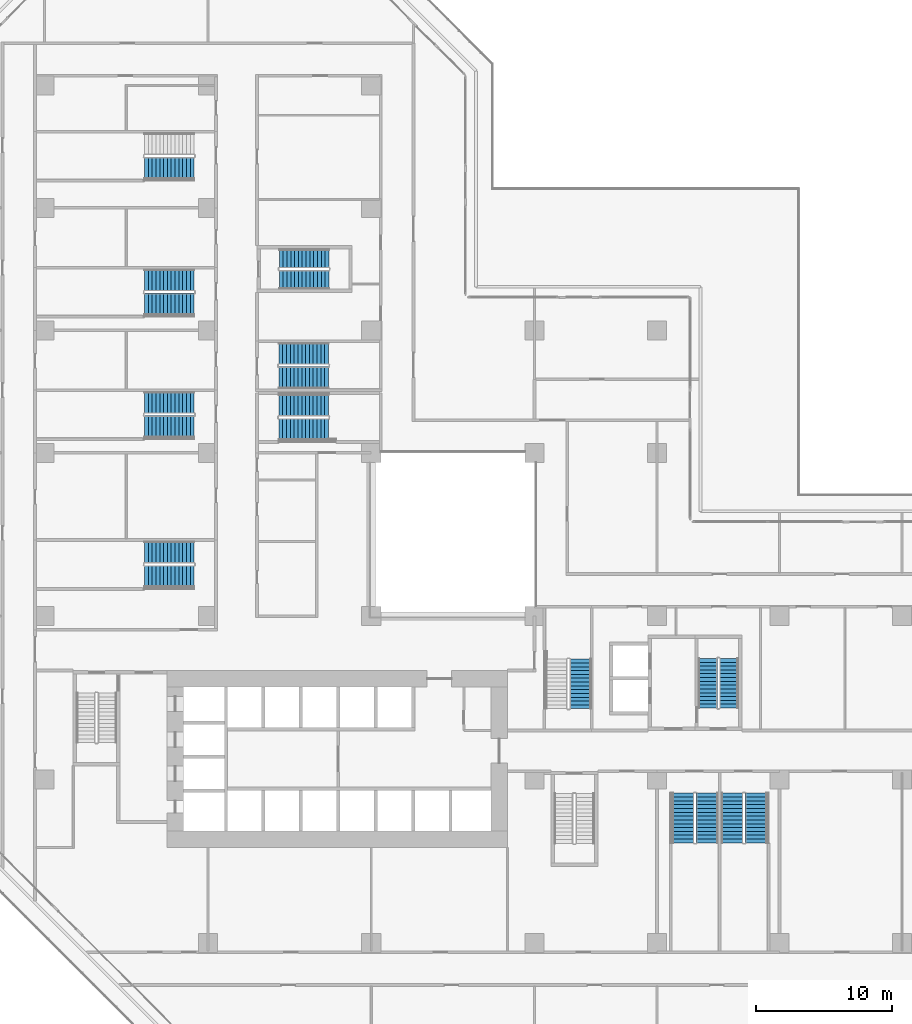
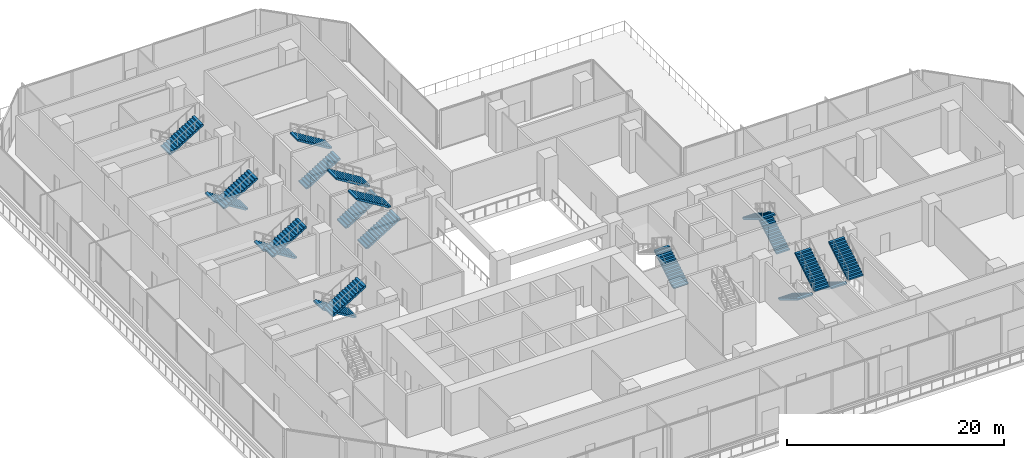
# One storey, part 18 of 25: 20 stair flights, 11 elements without a shape of their own.
"""IFC4 building model written with IfcOpenShell, lengths in metres."""

from ifc_helpers import new_model, si_unit, direction, frame, origin, place, context, subcontext, project, spatial, polyline, outline, extrude, material, type_object, element, aggregate, save


model = new_model("IFC4")

# Units and contexts
model_context = context("Model", 3, precision=1e-05, world=origin(), true_north=direction((0.0, 1.0)))
body_context = subcontext(model_context, "Body", "Model", "MODEL_VIEW")
ifc_project = project(units=[si_unit("LENGTHUNIT", "METRE"), si_unit("AREAUNIT", "SQUARE_METRE"), si_unit("VOLUMEUNIT", "CUBIC_METRE"), si_unit("PLANEANGLEUNIT", "RADIAN"), si_unit("MASSUNIT", "GRAM", prefix="KILO")], contexts=[model_context])

# Site, building, storey
site_placement = place(None, origin())
site = spatial("IfcSite", under=ifc_project, at=site_placement, CompositionType="ELEMENT")
building_placement = place(site_placement, origin())
building = spatial("IfcBuilding", under=site, at=building_placement, Name="Chenar Terraces", CompositionType="ELEMENT")
storey_placement = place(building_placement, frame((0.0, 0.0, 21.60009765625)))
storey = spatial("IfcBuildingStorey", under=building, at=storey_placement, Name="L04", CompositionType="ELEMENT", Elevation=21.60009765625)

# Stair, stair flights
ifc_material_1 = material(Name="Reinforced concrete C40/50", Category="concrete")
stair_type = type_object("IfcStairType", Name="Core stair 1400 half-turn", PredefinedType="HALF_TURN_STAIR", material=ifc_material_1)
placement = place(storey_placement, origin())
stair_1 = element("IfcStair", 1, at=placement, inside=storey, type_object=stair_type, Name="L04 Stair 3", PredefinedType="HALF_TURN_STAIR")
ifc_material_2 = material(Name="Reinforced concrete C40/50", Category="concrete")
stair_flight_type = type_object("IfcStairFlightType", Name="Core stair flight 1400", PredefinedType="STRAIGHT", material=ifc_material_2)
stair_flight_1_placement = place(storey_placement, frame((50.27490234375, 17.25, 0.0), z_axis=(0.0, 0.0, 1.0), x_axis=(0.0, 1.0, 0.0)))
stair_flight_1 = element("IfcStairFlight", 2, at=stair_flight_1_placement, type_object=stair_flight_type, Name="ST3 flight 1", NumberOfRisers=14, NumberOfTreads=13, PredefinedType="STRAIGHT", RiserHeight=0.171428571, TreadLength=0.28, context=body_context, shape_type="SweptSolid", body=[
    extrude(outline(polyline([(-0.0029296875, 0.0), (-0.0029296875, 0.17138671875), (0.0, 0.17138671875), (0.280029296875, 0.17138671875), (0.280029296875, 0.3427734375), (0.56005859375, 0.3427734375), (0.56005859375, 0.514404296875), (0.840087890625, 0.514404296875), (0.840087890625, 0.685791015625), (1.1201171875, 0.685791015625), (1.1201171875, 0.857177734375), (1.39990234375, 0.857177734375), (1.39990234375, 1.028564453125), (1.679931640625, 1.028564453125), (1.679931640625, 1.199951171875), (1.9599609375, 1.199951171875), (1.9599609375, 1.371337890625), (2.239990234375, 1.371337890625), (2.239990234375, 1.54296875), (2.52001953125, 1.54296875), (2.52001953125, 1.71435546875), (2.800048828125, 1.71435546875), (2.800048828125, 1.8857421875), (3.080078125, 1.8857421875), (3.080078125, 2.05712890625), (3.360107421875, 2.05712890625), (3.360107421875, 2.228515625), (3.639892578125, 2.228515625), (3.64306640625, 2.228515625), (3.64306640625, 2.052734375), (3.639892578125, 2.052734375), (0.287109375, 0.0), (-0.0029296875, 0.0)])), frame((0.0, 0.699951171875, 0.0), z_axis=(0.0, -1.0, 0.0), x_axis=(1.0, 0.0, 0.0)), (0.0, 0.0, 1.0), 1.39990234375),
])
stair_flight_2_placement = place(storey_placement, frame((48.72509765625, 20.889892578125, 2.39990234375), z_axis=(0.0, 0.0, 1.0), x_axis=(0.0, -1.0, 0.0)))
stair_flight_2 = element("IfcStairFlight", 3, at=stair_flight_2_placement, type_object=stair_flight_type, Name="ST3 flight 2", NumberOfRisers=14, NumberOfTreads=13, PredefinedType="STRAIGHT", RiserHeight=0.171428571, TreadLength=0.28, context=body_context, shape_type="SweptSolid", body=[
    extrude(outline(polyline([(-0.0029296875, 0.0), (-0.0029296875, 0.17138671875), (0.0, 0.17138671875), (0.280029296875, 0.17138671875), (0.280029296875, 0.3427734375), (0.56005859375, 0.3427734375), (0.56005859375, 0.514404296875), (0.840087890625, 0.514404296875), (0.840087890625, 0.685791015625), (1.1201171875, 0.685791015625), (1.1201171875, 0.857177734375), (1.39990234375, 0.857177734375), (1.39990234375, 1.028564453125), (1.679931640625, 1.028564453125), (1.679931640625, 1.199951171875), (1.9599609375, 1.199951171875), (1.9599609375, 1.371337890625), (2.239990234375, 1.371337890625), (2.239990234375, 1.54296875), (2.52001953125, 1.54296875), (2.52001953125, 1.71435546875), (2.800048828125, 1.71435546875), (2.800048828125, 1.8857421875), (3.080078125, 1.8857421875), (3.080078125, 2.05712890625), (3.360107421875, 2.05712890625), (3.360107421875, 2.228515625), (3.639892578125, 2.228515625), (3.64306640625, 2.228515625), (3.64306640625, 2.052734375), (3.639892578125, 2.052734375), (0.287109375, 0.0), (-0.0029296875, 0.0)])), frame((0.0, 0.699951171875, 0.0), z_axis=(0.0, -1.0, 0.0), x_axis=(1.0, 0.0, 0.0)), (0.0, 0.0, 1.0), 1.39990234375),
])
aggregate(stair_1, [stair_flight_1, stair_flight_2])

stair_2 = element("IfcStair", 4, at=placement, inside=storey, type_object=stair_type, Name="L04 Stair 4", PredefinedType="HALF_TURN_STAIR")
stair_flight_3_placement = place(storey_placement, frame((17.25, 48.72509765625, 0.0), z_axis=(0.0, 0.0, 1.0), x_axis=(1.0, 0.0, 0.0)))
stair_flight_3 = element("IfcStairFlight", 5, at=stair_flight_3_placement, type_object=stair_flight_type, Name="ST4 flight 1", NumberOfRisers=14, NumberOfTreads=13, PredefinedType="STRAIGHT", RiserHeight=0.171428571, TreadLength=0.28, context=body_context, shape_type="SweptSolid", body=[
    extrude(outline(polyline([(-0.0029296875, 0.0), (-0.0029296875, 0.17138671875), (0.0, 0.17138671875), (0.280029296875, 0.17138671875), (0.280029296875, 0.3427734375), (0.56005859375, 0.3427734375), (0.56005859375, 0.514404296875), (0.840087890625, 0.514404296875), (0.840087890625, 0.685791015625), (1.1201171875, 0.685791015625), (1.1201171875, 0.857177734375), (1.39990234375, 0.857177734375), (1.39990234375, 1.028564453125), (1.679931640625, 1.028564453125), (1.679931640625, 1.199951171875), (1.9599609375, 1.199951171875), (1.9599609375, 1.371337890625), (2.239990234375, 1.371337890625), (2.239990234375, 1.54296875), (2.52001953125, 1.54296875), (2.52001953125, 1.71435546875), (2.800048828125, 1.71435546875), (2.800048828125, 1.8857421875), (3.080078125, 1.8857421875), (3.080078125, 2.05712890625), (3.360107421875, 2.05712890625), (3.360107421875, 2.228515625), (3.639892578125, 2.228515625), (3.64306640625, 2.228515625), (3.64306640625, 2.052734375), (3.639892578125, 2.052734375), (0.287109375, 0.0), (-0.0029296875, 0.0)])), frame((0.0, 0.699951171875, 0.0), z_axis=(0.0, -1.0, 0.0), x_axis=(1.0, 0.0, 0.0)), (0.0, 0.0, 1.0), 1.39990234375),
])
stair_flight_4_placement = place(storey_placement, frame((20.889892578125, 50.27490234375, 2.39990234375), z_axis=(0.0, 0.0, 1.0), x_axis=(-1.0, 0.0, 0.0)))
stair_flight_4 = element("IfcStairFlight", 6, at=stair_flight_4_placement, type_object=stair_flight_type, Name="ST4 flight 2", NumberOfRisers=14, NumberOfTreads=13, PredefinedType="STRAIGHT", RiserHeight=0.171428571, TreadLength=0.28, context=body_context, shape_type="SweptSolid", body=[
    extrude(outline(polyline([(-0.0029296875, 0.0), (-0.0029296875, 0.17138671875), (0.0, 0.17138671875), (0.280029296875, 0.17138671875), (0.280029296875, 0.3427734375), (0.56005859375, 0.3427734375), (0.56005859375, 0.514404296875), (0.840087890625, 0.514404296875), (0.840087890625, 0.685791015625), (1.1201171875, 0.685791015625), (1.1201171875, 0.857177734375), (1.39990234375, 0.857177734375), (1.39990234375, 1.028564453125), (1.679931640625, 1.028564453125), (1.679931640625, 1.199951171875), (1.9599609375, 1.199951171875), (1.9599609375, 1.371337890625), (2.239990234375, 1.371337890625), (2.239990234375, 1.54296875), (2.52001953125, 1.54296875), (2.52001953125, 1.71435546875), (2.800048828125, 1.71435546875), (2.800048828125, 1.8857421875), (3.080078125, 1.8857421875), (3.080078125, 2.05712890625), (3.360107421875, 2.05712890625), (3.360107421875, 2.228515625), (3.639892578125, 2.228515625), (3.64306640625, 2.228515625), (3.64306640625, 2.052734375), (3.639892578125, 2.052734375), (0.287109375, 0.0), (-0.0029296875, 0.0)])), frame((0.0, 0.699951171875, 0.0), z_axis=(0.0, -1.0, 0.0), x_axis=(1.0, 0.0, 0.0)), (0.0, 0.0, 1.0), 1.39990234375),
])
aggregate(stair_2, [stair_flight_3, stair_flight_4])

# Stair, stair flight
stair_3 = element("IfcStair", 7, at=placement, inside=storey, type_object=stair_type, Name="L04 Exit stair PS1", PredefinedType="HALF_TURN_STAIR")
stair_flight_5_placement = place(storey_placement, frame((39.375, 17.199951171875, 0.0), z_axis=(0.0, 0.0, 1.0), x_axis=(0.0, 1.0, 0.0)))
stair_flight_5 = element("IfcStairFlight", 8, at=stair_flight_5_placement, type_object=stair_flight_type, Name="PS1 flight 1", NumberOfRisers=14, NumberOfTreads=13, PredefinedType="STRAIGHT", RiserHeight=0.171428571, TreadLength=0.28, context=body_context, shape_type="SweptSolid", body=[
    extrude(outline(polyline([(-0.0029296875, 0.0), (-0.0029296875, 0.17138671875), (0.0, 0.17138671875), (0.280029296875, 0.17138671875), (0.280029296875, 0.3427734375), (0.56005859375, 0.3427734375), (0.56005859375, 0.514404296875), (0.840087890625, 0.514404296875), (0.840087890625, 0.685791015625), (1.1201171875, 0.685791015625), (1.1201171875, 0.857177734375), (1.39990234375, 0.857177734375), (1.39990234375, 1.028564453125), (1.679931640625, 1.028564453125), (1.679931640625, 1.199951171875), (1.9599609375, 1.199951171875), (1.9599609375, 1.371337890625), (2.239990234375, 1.371337890625), (2.239990234375, 1.54296875), (2.52001953125, 1.54296875), (2.52001953125, 1.71435546875), (2.800048828125, 1.71435546875), (2.800048828125, 1.8857421875), (3.080078125, 1.8857421875), (3.080078125, 2.05712890625), (3.360107421875, 2.05712890625), (3.360107421875, 2.228515625), (3.639892578125, 2.228515625), (3.64306640625, 2.228515625), (3.64306640625, 2.052734375), (3.639892578125, 2.052734375), (0.287109375, 0.0), (-0.0029296875, 0.0)])), frame((0.0, 0.800048828125, 0.0), z_axis=(0.0, -1.0, 0.0), x_axis=(1.0, 0.0, 0.0)), (0.0, 0.0, 1.0), 1.60009765625),
])
aggregate(stair_3, [stair_flight_5])

# Stair, stair flights
stair_4 = element("IfcStair", 9, at=placement, inside=storey, type_object=stair_type, Name="L04 Exit stair PS2", PredefinedType="HALF_TURN_STAIR")
stair_flight_6_placement = place(storey_placement, frame((50.517578125, 10.985107421875, 0.0), z_axis=(0.0, 0.0, 1.0), x_axis=(0.0, -1.0, 0.0)))
stair_flight_6 = element("IfcStairFlight", 10, at=stair_flight_6_placement, type_object=stair_flight_type, Name="PS2 flight 1", NumberOfRisers=14, NumberOfTreads=13, PredefinedType="STRAIGHT", RiserHeight=0.171428571, TreadLength=0.28, context=body_context, shape_type="SweptSolid", body=[
    extrude(outline(polyline([(-0.0029296875, 0.0), (-0.0029296875, 0.17138671875), (0.0, 0.17138671875), (0.280029296875, 0.17138671875), (0.280029296875, 0.3427734375), (0.56005859375, 0.3427734375), (0.56005859375, 0.514404296875), (0.840087890625, 0.514404296875), (0.840087890625, 0.685791015625), (1.1201171875, 0.685791015625), (1.1201171875, 0.857177734375), (1.39990234375, 0.857177734375), (1.39990234375, 1.028564453125), (1.679931640625, 1.028564453125), (1.679931640625, 1.199951171875), (1.9599609375, 1.199951171875), (1.9599609375, 1.371337890625), (2.239990234375, 1.371337890625), (2.239990234375, 1.54296875), (2.52001953125, 1.54296875), (2.52001953125, 1.71435546875), (2.800048828125, 1.71435546875), (2.800048828125, 1.8857421875), (3.080078125, 1.8857421875), (3.080078125, 2.05712890625), (3.360107421875, 2.05712890625), (3.360107421875, 2.228515625), (3.639892578125, 2.228515625), (3.64306640625, 2.228515625), (3.64306640625, 2.052734375), (3.639892578125, 2.052734375), (0.287109375, 0.0), (-0.0029296875, 0.0)])), frame((0.0, 0.8076171875, 0.0), z_axis=(0.0, -1.0, 0.0), x_axis=(1.0, 0.0, 0.0)), (0.0, 0.0, 1.0), 1.614990234375),
])
stair_flight_7_placement = place(storey_placement, frame((52.282470703125, 7.344970703125, 2.39990234375), z_axis=(0.0, 0.0, 1.0), x_axis=(0.0, 1.0, 0.0)))
stair_flight_7 = element("IfcStairFlight", 11, at=stair_flight_7_placement, type_object=stair_flight_type, Name="PS2 flight 2", NumberOfRisers=14, NumberOfTreads=13, PredefinedType="STRAIGHT", RiserHeight=0.171428571, TreadLength=0.28, context=body_context, shape_type="SweptSolid", body=[
    extrude(outline(polyline([(-0.0029296875, 0.0), (-0.0029296875, 0.17138671875), (0.0, 0.17138671875), (0.280029296875, 0.17138671875), (0.280029296875, 0.3427734375), (0.56005859375, 0.3427734375), (0.56005859375, 0.514404296875), (0.840087890625, 0.514404296875), (0.840087890625, 0.685791015625), (1.1201171875, 0.685791015625), (1.1201171875, 0.857177734375), (1.39990234375, 0.857177734375), (1.39990234375, 1.028564453125), (1.679931640625, 1.028564453125), (1.679931640625, 1.199951171875), (1.9599609375, 1.199951171875), (1.9599609375, 1.371337890625), (2.239990234375, 1.371337890625), (2.239990234375, 1.54296875), (2.52001953125, 1.54296875), (2.52001953125, 1.71435546875), (2.800048828125, 1.71435546875), (2.800048828125, 1.8857421875), (3.080078125, 1.8857421875), (3.080078125, 2.05712890625), (3.360107421875, 2.05712890625), (3.360107421875, 2.228515625), (3.639892578125, 2.228515625), (3.64306640625, 2.228515625), (3.64306640625, 2.052734375), (3.639892578125, 2.052734375), (0.287109375, 0.0), (-0.0029296875, 0.0)])), frame((0.0, 0.8076171875, 0.0), z_axis=(0.0, -1.0, 0.0), x_axis=(1.0, 0.0, 0.0)), (0.0, 0.0, 1.0), 1.614990234375),
])
aggregate(stair_4, [stair_flight_6, stair_flight_7])

# Stair, stair flight
stair_5 = element("IfcStair", 12, at=placement, inside=storey, type_object=stair_type, Name="L04 Exit stair PS3", PredefinedType="HALF_TURN_STAIR")
stair_flight_8_placement = place(storey_placement, frame((7.344970703125, 56.91748046875, 2.39990234375), z_axis=(0.0, 0.0, 1.0), x_axis=(1.0, 0.0, 0.0)))
stair_flight_8 = element("IfcStairFlight", 13, at=stair_flight_8_placement, type_object=stair_flight_type, Name="PS3 flight 2", NumberOfRisers=14, NumberOfTreads=13, PredefinedType="STRAIGHT", RiserHeight=0.171428571, TreadLength=0.28, context=body_context, shape_type="SweptSolid", body=[
    extrude(outline(polyline([(-0.0029296875, 0.0), (-0.0029296875, 0.17138671875), (0.0, 0.17138671875), (0.280029296875, 0.17138671875), (0.280029296875, 0.3427734375), (0.56005859375, 0.3427734375), (0.56005859375, 0.514404296875), (0.840087890625, 0.514404296875), (0.840087890625, 0.685791015625), (1.1201171875, 0.685791015625), (1.1201171875, 0.857177734375), (1.39990234375, 0.857177734375), (1.39990234375, 1.028564453125), (1.679931640625, 1.028564453125), (1.679931640625, 1.199951171875), (1.9599609375, 1.199951171875), (1.9599609375, 1.371337890625), (2.239990234375, 1.371337890625), (2.239990234375, 1.54296875), (2.52001953125, 1.54296875), (2.52001953125, 1.71435546875), (2.800048828125, 1.71435546875), (2.800048828125, 1.8857421875), (3.080078125, 1.8857421875), (3.080078125, 2.05712890625), (3.360107421875, 2.05712890625), (3.360107421875, 2.228515625), (3.639892578125, 2.228515625), (3.64306640625, 2.228515625), (3.64306640625, 2.052734375), (3.639892578125, 2.052734375), (0.287109375, 0.0), (-0.0029296875, 0.0)])), frame((0.0, 0.8076171875, 0.0), z_axis=(0.0, -1.0, 0.0), x_axis=(1.0, 0.0, 0.0)), (0.0, 0.0, 1.0), 1.614990234375),
])
aggregate(stair_5, [stair_flight_8])

# Stair, stair flights
stair_6 = element("IfcStair", 14, at=placement, inside=storey, type_object=stair_type, Name="L04 Exit stair PS4", PredefinedType="HALF_TURN_STAIR")
stair_flight_9_placement = place(storey_placement, frame((10.985107421875, 48.6826171875, 0.0), z_axis=(0.0, 0.0, 1.0), x_axis=(-1.0, 0.0, 0.0)))
stair_flight_9 = element("IfcStairFlight", 15, at=stair_flight_9_placement, type_object=stair_flight_type, Name="PS4 flight 1", NumberOfRisers=14, NumberOfTreads=13, PredefinedType="STRAIGHT", RiserHeight=0.171428571, TreadLength=0.28, context=body_context, shape_type="SweptSolid", body=[
    extrude(outline(polyline([(-0.0029296875, 0.0), (-0.0029296875, 0.17138671875), (0.0, 0.17138671875), (0.280029296875, 0.17138671875), (0.280029296875, 0.3427734375), (0.56005859375, 0.3427734375), (0.56005859375, 0.514404296875), (0.840087890625, 0.514404296875), (0.840087890625, 0.685791015625), (1.1201171875, 0.685791015625), (1.1201171875, 0.857177734375), (1.39990234375, 0.857177734375), (1.39990234375, 1.028564453125), (1.679931640625, 1.028564453125), (1.679931640625, 1.199951171875), (1.9599609375, 1.199951171875), (1.9599609375, 1.371337890625), (2.239990234375, 1.371337890625), (2.239990234375, 1.54296875), (2.52001953125, 1.54296875), (2.52001953125, 1.71435546875), (2.800048828125, 1.71435546875), (2.800048828125, 1.8857421875), (3.080078125, 1.8857421875), (3.080078125, 2.05712890625), (3.360107421875, 2.05712890625), (3.360107421875, 2.228515625), (3.639892578125, 2.228515625), (3.64306640625, 2.228515625), (3.64306640625, 2.052734375), (3.639892578125, 2.052734375), (0.287109375, 0.0), (-0.0029296875, 0.0)])), frame((0.0, 0.8076171875, 0.0), z_axis=(0.0, -1.0, 0.0), x_axis=(1.0, 0.0, 0.0)), (0.0, 0.0, 1.0), 1.614990234375),
])
stair_flight_10_placement = place(storey_placement, frame((7.344970703125, 46.91748046875, 2.39990234375), z_axis=(0.0, 0.0, 1.0), x_axis=(1.0, 0.0, 0.0)))
stair_flight_10 = element("IfcStairFlight", 16, at=stair_flight_10_placement, type_object=stair_flight_type, Name="PS4 flight 2", NumberOfRisers=14, NumberOfTreads=13, PredefinedType="STRAIGHT", RiserHeight=0.171428571, TreadLength=0.28, context=body_context, shape_type="SweptSolid", body=[
    extrude(outline(polyline([(-0.0029296875, 0.0), (-0.0029296875, 0.17138671875), (0.0, 0.17138671875), (0.280029296875, 0.17138671875), (0.280029296875, 0.3427734375), (0.56005859375, 0.3427734375), (0.56005859375, 0.514404296875), (0.840087890625, 0.514404296875), (0.840087890625, 0.685791015625), (1.1201171875, 0.685791015625), (1.1201171875, 0.857177734375), (1.39990234375, 0.857177734375), (1.39990234375, 1.028564453125), (1.679931640625, 1.028564453125), (1.679931640625, 1.199951171875), (1.9599609375, 1.199951171875), (1.9599609375, 1.371337890625), (2.239990234375, 1.371337890625), (2.239990234375, 1.54296875), (2.52001953125, 1.54296875), (2.52001953125, 1.71435546875), (2.800048828125, 1.71435546875), (2.800048828125, 1.8857421875), (3.080078125, 1.8857421875), (3.080078125, 2.05712890625), (3.360107421875, 2.05712890625), (3.360107421875, 2.228515625), (3.639892578125, 2.228515625), (3.64306640625, 2.228515625), (3.64306640625, 2.052734375), (3.639892578125, 2.052734375), (0.287109375, 0.0), (-0.0029296875, 0.0)])), frame((0.0, 0.8076171875, 0.0), z_axis=(0.0, -1.0, 0.0), x_axis=(1.0, 0.0, 0.0)), (0.0, 0.0, 1.0), 1.614990234375),
])
aggregate(stair_6, [stair_flight_9, stair_flight_10])

stair_7 = element("IfcStair", 17, at=placement, inside=storey, type_object=stair_type, Name="L04 Exit stair PS5", PredefinedType="HALF_TURN_STAIR")
stair_flight_11_placement = place(storey_placement, frame((10.985107421875, 28.6826171875, 0.0), z_axis=(0.0, 0.0, 1.0), x_axis=(-1.0, 0.0, 0.0)))
stair_flight_11 = element("IfcStairFlight", 18, at=stair_flight_11_placement, type_object=stair_flight_type, Name="PS5 flight 1", NumberOfRisers=14, NumberOfTreads=13, PredefinedType="STRAIGHT", RiserHeight=0.171428571, TreadLength=0.28, context=body_context, shape_type="SweptSolid", body=[
    extrude(outline(polyline([(-0.0029296875, 0.0), (-0.0029296875, 0.17138671875), (0.0, 0.17138671875), (0.280029296875, 0.17138671875), (0.280029296875, 0.3427734375), (0.56005859375, 0.3427734375), (0.56005859375, 0.514404296875), (0.840087890625, 0.514404296875), (0.840087890625, 0.685791015625), (1.1201171875, 0.685791015625), (1.1201171875, 0.857177734375), (1.39990234375, 0.857177734375), (1.39990234375, 1.028564453125), (1.679931640625, 1.028564453125), (1.679931640625, 1.199951171875), (1.9599609375, 1.199951171875), (1.9599609375, 1.371337890625), (2.239990234375, 1.371337890625), (2.239990234375, 1.54296875), (2.52001953125, 1.54296875), (2.52001953125, 1.71435546875), (2.800048828125, 1.71435546875), (2.800048828125, 1.8857421875), (3.080078125, 1.8857421875), (3.080078125, 2.05712890625), (3.360107421875, 2.05712890625), (3.360107421875, 2.228515625), (3.639892578125, 2.228515625), (3.64306640625, 2.228515625), (3.64306640625, 2.052734375), (3.639892578125, 2.052734375), (0.287109375, 0.0), (-0.0029296875, 0.0)])), frame((0.0, 0.8076171875, 0.0), z_axis=(0.0, -1.0, 0.0), x_axis=(1.0, 0.0, 0.0)), (0.0, 0.0, 1.0), 1.614990234375),
])
stair_flight_12_placement = place(storey_placement, frame((7.344970703125, 26.91748046875, 2.39990234375), z_axis=(0.0, 0.0, 1.0), x_axis=(1.0, 0.0, 0.0)))
stair_flight_12 = element("IfcStairFlight", 19, at=stair_flight_12_placement, type_object=stair_flight_type, Name="PS5 flight 2", NumberOfRisers=14, NumberOfTreads=13, PredefinedType="STRAIGHT", RiserHeight=0.171428571, TreadLength=0.28, context=body_context, shape_type="SweptSolid", body=[
    extrude(outline(polyline([(-0.0029296875, 0.0), (-0.0029296875, 0.17138671875), (0.0, 0.17138671875), (0.280029296875, 0.17138671875), (0.280029296875, 0.3427734375), (0.56005859375, 0.3427734375), (0.56005859375, 0.514404296875), (0.840087890625, 0.514404296875), (0.840087890625, 0.685791015625), (1.1201171875, 0.685791015625), (1.1201171875, 0.857177734375), (1.39990234375, 0.857177734375), (1.39990234375, 1.028564453125), (1.679931640625, 1.028564453125), (1.679931640625, 1.199951171875), (1.9599609375, 1.199951171875), (1.9599609375, 1.371337890625), (2.239990234375, 1.371337890625), (2.239990234375, 1.54296875), (2.52001953125, 1.54296875), (2.52001953125, 1.71435546875), (2.800048828125, 1.71435546875), (2.800048828125, 1.8857421875), (3.080078125, 1.8857421875), (3.080078125, 2.05712890625), (3.360107421875, 2.05712890625), (3.360107421875, 2.228515625), (3.639892578125, 2.228515625), (3.64306640625, 2.228515625), (3.64306640625, 2.052734375), (3.639892578125, 2.052734375), (0.287109375, 0.0), (-0.0029296875, 0.0)])), frame((0.0, 0.8076171875, 0.0), z_axis=(0.0, -1.0, 0.0), x_axis=(1.0, 0.0, 0.0)), (0.0, 0.0, 1.0), 1.614990234375),
])
aggregate(stair_7, [stair_flight_11, stair_flight_12])

stair_8 = element("IfcStair", 20, at=placement, inside=storey, type_object=stair_type, Name="L04 Exit stair PS6", PredefinedType="HALF_TURN_STAIR")
stair_flight_13_placement = place(storey_placement, frame((46.91748046875, 10.985107421875, 0.0), z_axis=(0.0, 0.0, 1.0), x_axis=(0.0, -1.0, 0.0)))
stair_flight_13 = element("IfcStairFlight", 21, at=stair_flight_13_placement, type_object=stair_flight_type, Name="PS6 flight 1", NumberOfRisers=14, NumberOfTreads=13, PredefinedType="STRAIGHT", RiserHeight=0.171428571, TreadLength=0.28, context=body_context, shape_type="SweptSolid", body=[
    extrude(outline(polyline([(-0.0029296875, 0.0), (-0.0029296875, 0.17138671875), (0.0, 0.17138671875), (0.280029296875, 0.17138671875), (0.280029296875, 0.3427734375), (0.56005859375, 0.3427734375), (0.56005859375, 0.514404296875), (0.840087890625, 0.514404296875), (0.840087890625, 0.685791015625), (1.1201171875, 0.685791015625), (1.1201171875, 0.857177734375), (1.39990234375, 0.857177734375), (1.39990234375, 1.028564453125), (1.679931640625, 1.028564453125), (1.679931640625, 1.199951171875), (1.9599609375, 1.199951171875), (1.9599609375, 1.371337890625), (2.239990234375, 1.371337890625), (2.239990234375, 1.54296875), (2.52001953125, 1.54296875), (2.52001953125, 1.71435546875), (2.800048828125, 1.71435546875), (2.800048828125, 1.8857421875), (3.080078125, 1.8857421875), (3.080078125, 2.05712890625), (3.360107421875, 2.05712890625), (3.360107421875, 2.228515625), (3.639892578125, 2.228515625), (3.64306640625, 2.228515625), (3.64306640625, 2.052734375), (3.639892578125, 2.052734375), (0.287109375, 0.0), (-0.0029296875, 0.0)])), frame((0.0, 0.8076171875, 0.0), z_axis=(0.0, -1.0, 0.0), x_axis=(1.0, 0.0, 0.0)), (0.0, 0.0, 1.0), 1.614990234375),
])
stair_flight_14_placement = place(storey_placement, frame((48.6826171875, 7.344970703125, 2.39990234375), z_axis=(0.0, 0.0, 1.0), x_axis=(0.0, 1.0, 0.0)))
stair_flight_14 = element("IfcStairFlight", 22, at=stair_flight_14_placement, type_object=stair_flight_type, Name="PS6 flight 2", NumberOfRisers=14, NumberOfTreads=13, PredefinedType="STRAIGHT", RiserHeight=0.171428571, TreadLength=0.28, context=body_context, shape_type="SweptSolid", body=[
    extrude(outline(polyline([(-0.0029296875, 0.0), (-0.0029296875, 0.17138671875), (0.0, 0.17138671875), (0.280029296875, 0.17138671875), (0.280029296875, 0.3427734375), (0.56005859375, 0.3427734375), (0.56005859375, 0.514404296875), (0.840087890625, 0.514404296875), (0.840087890625, 0.685791015625), (1.1201171875, 0.685791015625), (1.1201171875, 0.857177734375), (1.39990234375, 0.857177734375), (1.39990234375, 1.028564453125), (1.679931640625, 1.028564453125), (1.679931640625, 1.199951171875), (1.9599609375, 1.199951171875), (1.9599609375, 1.371337890625), (2.239990234375, 1.371337890625), (2.239990234375, 1.54296875), (2.52001953125, 1.54296875), (2.52001953125, 1.71435546875), (2.800048828125, 1.71435546875), (2.800048828125, 1.8857421875), (3.080078125, 1.8857421875), (3.080078125, 2.05712890625), (3.360107421875, 2.05712890625), (3.360107421875, 2.228515625), (3.639892578125, 2.228515625), (3.64306640625, 2.228515625), (3.64306640625, 2.052734375), (3.639892578125, 2.052734375), (0.287109375, 0.0), (-0.0029296875, 0.0)])), frame((0.0, 0.8076171875, 0.0), z_axis=(0.0, -1.0, 0.0), x_axis=(1.0, 0.0, 0.0)), (0.0, 0.0, 1.0), 1.614990234375),
])
aggregate(stair_8, [stair_flight_13, stair_flight_14])

stair_9 = element("IfcStair", 23, at=placement, inside=storey, type_object=stair_type, Name="L04 Exit stair PS7", PredefinedType="HALF_TURN_STAIR")
stair_flight_15_placement = place(storey_placement, frame((17.215087890625, 37.717529296875, 0.0), z_axis=(0.0, 0.0, 1.0), x_axis=(1.0, 0.0, 0.0)))
stair_flight_15 = element("IfcStairFlight", 24, at=stair_flight_15_placement, type_object=stair_flight_type, Name="PS7 flight 1", NumberOfRisers=14, NumberOfTreads=13, PredefinedType="STRAIGHT", RiserHeight=0.171428571, TreadLength=0.28, context=body_context, shape_type="SweptSolid", body=[
    extrude(outline(polyline([(-0.0029296875, 0.0), (-0.0029296875, 0.17138671875), (0.0, 0.17138671875), (0.280029296875, 0.17138671875), (0.280029296875, 0.3427734375), (0.56005859375, 0.3427734375), (0.56005859375, 0.514404296875), (0.840087890625, 0.514404296875), (0.840087890625, 0.685791015625), (1.1201171875, 0.685791015625), (1.1201171875, 0.857177734375), (1.39990234375, 0.857177734375), (1.39990234375, 1.028564453125), (1.679931640625, 1.028564453125), (1.679931640625, 1.199951171875), (1.9599609375, 1.199951171875), (1.9599609375, 1.371337890625), (2.239990234375, 1.371337890625), (2.239990234375, 1.54296875), (2.52001953125, 1.54296875), (2.52001953125, 1.71435546875), (2.800048828125, 1.71435546875), (2.800048828125, 1.8857421875), (3.080078125, 1.8857421875), (3.080078125, 2.05712890625), (3.360107421875, 2.05712890625), (3.360107421875, 2.228515625), (3.639892578125, 2.228515625), (3.64306640625, 2.228515625), (3.64306640625, 2.052734375), (3.639892578125, 2.052734375), (0.287109375, 0.0), (-0.0029296875, 0.0)])), frame((0.0, 0.8076171875, 0.0), z_axis=(0.0, -1.0, 0.0), x_axis=(1.0, 0.0, 0.0)), (0.0, 0.0, 1.0), 1.614990234375),
])
stair_flight_16_placement = place(storey_placement, frame((20.85498046875, 39.482421875, 2.39990234375), z_axis=(0.0, 0.0, 1.0), x_axis=(-1.0, 0.0, 0.0)))
stair_flight_16 = element("IfcStairFlight", 25, at=stair_flight_16_placement, type_object=stair_flight_type, Name="PS7 flight 2", NumberOfRisers=14, NumberOfTreads=13, PredefinedType="STRAIGHT", RiserHeight=0.171428571, TreadLength=0.28, context=body_context, shape_type="SweptSolid", body=[
    extrude(outline(polyline([(-0.0029296875, 0.0), (-0.0029296875, 0.17138671875), (0.0, 0.17138671875), (0.280029296875, 0.17138671875), (0.280029296875, 0.3427734375), (0.56005859375, 0.3427734375), (0.56005859375, 0.514404296875), (0.840087890625, 0.514404296875), (0.840087890625, 0.685791015625), (1.1201171875, 0.685791015625), (1.1201171875, 0.857177734375), (1.39990234375, 0.857177734375), (1.39990234375, 1.028564453125), (1.679931640625, 1.028564453125), (1.679931640625, 1.199951171875), (1.9599609375, 1.199951171875), (1.9599609375, 1.371337890625), (2.239990234375, 1.371337890625), (2.239990234375, 1.54296875), (2.52001953125, 1.54296875), (2.52001953125, 1.71435546875), (2.800048828125, 1.71435546875), (2.800048828125, 1.8857421875), (3.080078125, 1.8857421875), (3.080078125, 2.05712890625), (3.360107421875, 2.05712890625), (3.360107421875, 2.228515625), (3.639892578125, 2.228515625), (3.64306640625, 2.228515625), (3.64306640625, 2.052734375), (3.639892578125, 2.052734375), (0.287109375, 0.0), (-0.0029296875, 0.0)])), frame((0.0, 0.8076171875, 0.0), z_axis=(0.0, -1.0, 0.0), x_axis=(1.0, 0.0, 0.0)), (0.0, 0.0, 1.0), 1.614990234375),
])
aggregate(stair_9, [stair_flight_15, stair_flight_16])

stair_10 = element("IfcStair", 26, at=placement, inside=storey, type_object=stair_type, Name="L04 Exit stair PS8", PredefinedType="HALF_TURN_STAIR")
stair_flight_17_placement = place(storey_placement, frame((17.215087890625, 41.517578125, 0.0), z_axis=(0.0, 0.0, 1.0), x_axis=(1.0, 0.0, 0.0)))
stair_flight_17 = element("IfcStairFlight", 27, at=stair_flight_17_placement, type_object=stair_flight_type, Name="PS8 flight 1", NumberOfRisers=14, NumberOfTreads=13, PredefinedType="STRAIGHT", RiserHeight=0.171428571, TreadLength=0.28, context=body_context, shape_type="SweptSolid", body=[
    extrude(outline(polyline([(-0.0029296875, 0.0), (-0.0029296875, 0.17138671875), (0.0, 0.17138671875), (0.280029296875, 0.17138671875), (0.280029296875, 0.3427734375), (0.56005859375, 0.3427734375), (0.56005859375, 0.514404296875), (0.840087890625, 0.514404296875), (0.840087890625, 0.685791015625), (1.1201171875, 0.685791015625), (1.1201171875, 0.857177734375), (1.39990234375, 0.857177734375), (1.39990234375, 1.028564453125), (1.679931640625, 1.028564453125), (1.679931640625, 1.199951171875), (1.9599609375, 1.199951171875), (1.9599609375, 1.371337890625), (2.239990234375, 1.371337890625), (2.239990234375, 1.54296875), (2.52001953125, 1.54296875), (2.52001953125, 1.71435546875), (2.800048828125, 1.71435546875), (2.800048828125, 1.8857421875), (3.080078125, 1.8857421875), (3.080078125, 2.05712890625), (3.360107421875, 2.05712890625), (3.360107421875, 2.228515625), (3.639892578125, 2.228515625), (3.64306640625, 2.228515625), (3.64306640625, 2.052734375), (3.639892578125, 2.052734375), (0.287109375, 0.0), (-0.0029296875, 0.0)])), frame((0.0, 0.8076171875, 0.0), z_axis=(0.0, -1.0, 0.0), x_axis=(1.0, 0.0, 0.0)), (0.0, 0.0, 1.0), 1.614990234375),
])
stair_flight_18_placement = place(storey_placement, frame((20.85498046875, 43.282470703125, 2.39990234375), z_axis=(0.0, 0.0, 1.0), x_axis=(-1.0, 0.0, 0.0)))
stair_flight_18 = element("IfcStairFlight", 28, at=stair_flight_18_placement, type_object=stair_flight_type, Name="PS8 flight 2", NumberOfRisers=14, NumberOfTreads=13, PredefinedType="STRAIGHT", RiserHeight=0.171428571, TreadLength=0.28, context=body_context, shape_type="SweptSolid", body=[
    extrude(outline(polyline([(-0.0029296875, 0.0), (-0.0029296875, 0.17138671875), (0.0, 0.17138671875), (0.280029296875, 0.17138671875), (0.280029296875, 0.3427734375), (0.56005859375, 0.3427734375), (0.56005859375, 0.514404296875), (0.840087890625, 0.514404296875), (0.840087890625, 0.685791015625), (1.1201171875, 0.685791015625), (1.1201171875, 0.857177734375), (1.39990234375, 0.857177734375), (1.39990234375, 1.028564453125), (1.679931640625, 1.028564453125), (1.679931640625, 1.199951171875), (1.9599609375, 1.199951171875), (1.9599609375, 1.371337890625), (2.239990234375, 1.371337890625), (2.239990234375, 1.54296875), (2.52001953125, 1.54296875), (2.52001953125, 1.71435546875), (2.800048828125, 1.71435546875), (2.800048828125, 1.8857421875), (3.080078125, 1.8857421875), (3.080078125, 2.05712890625), (3.360107421875, 2.05712890625), (3.360107421875, 2.228515625), (3.639892578125, 2.228515625), (3.64306640625, 2.228515625), (3.64306640625, 2.052734375), (3.639892578125, 2.052734375), (0.287109375, 0.0), (-0.0029296875, 0.0)])), frame((0.0, 0.8076171875, 0.0), z_axis=(0.0, -1.0, 0.0), x_axis=(1.0, 0.0, 0.0)), (0.0, 0.0, 1.0), 1.614990234375),
])
aggregate(stair_10, [stair_flight_17, stair_flight_18])

stair_11 = element("IfcStair", 29, at=placement, inside=storey, type_object=stair_type, Name="L04 Exit stair PS9", PredefinedType="HALF_TURN_STAIR")
stair_flight_19_placement = place(storey_placement, frame((10.985107421875, 39.6826171875, 0.0), z_axis=(0.0, 0.0, 1.0), x_axis=(-1.0, 0.0, 0.0)))
stair_flight_19 = element("IfcStairFlight", 30, at=stair_flight_19_placement, type_object=stair_flight_type, Name="PS9 flight 1", NumberOfRisers=14, NumberOfTreads=13, PredefinedType="STRAIGHT", RiserHeight=0.171428571, TreadLength=0.28, context=body_context, shape_type="SweptSolid", body=[
    extrude(outline(polyline([(-0.0029296875, 0.0), (-0.0029296875, 0.17138671875), (0.0, 0.17138671875), (0.280029296875, 0.17138671875), (0.280029296875, 0.3427734375), (0.56005859375, 0.3427734375), (0.56005859375, 0.514404296875), (0.840087890625, 0.514404296875), (0.840087890625, 0.685791015625), (1.1201171875, 0.685791015625), (1.1201171875, 0.857177734375), (1.39990234375, 0.857177734375), (1.39990234375, 1.028564453125), (1.679931640625, 1.028564453125), (1.679931640625, 1.199951171875), (1.9599609375, 1.199951171875), (1.9599609375, 1.371337890625), (2.239990234375, 1.371337890625), (2.239990234375, 1.54296875), (2.52001953125, 1.54296875), (2.52001953125, 1.71435546875), (2.800048828125, 1.71435546875), (2.800048828125, 1.8857421875), (3.080078125, 1.8857421875), (3.080078125, 2.05712890625), (3.360107421875, 2.05712890625), (3.360107421875, 2.228515625), (3.639892578125, 2.228515625), (3.64306640625, 2.228515625), (3.64306640625, 2.052734375), (3.639892578125, 2.052734375), (0.287109375, 0.0), (-0.0029296875, 0.0)])), frame((0.0, 0.8076171875, 0.0), z_axis=(0.0, -1.0, 0.0), x_axis=(1.0, 0.0, 0.0)), (0.0, 0.0, 1.0), 1.614990234375),
])
stair_flight_20_placement = place(storey_placement, frame((7.344970703125, 37.91748046875, 2.39990234375), z_axis=(0.0, 0.0, 1.0), x_axis=(1.0, 0.0, 0.0)))
stair_flight_20 = element("IfcStairFlight", 31, at=stair_flight_20_placement, type_object=stair_flight_type, Name="PS9 flight 2", NumberOfRisers=14, NumberOfTreads=13, PredefinedType="STRAIGHT", RiserHeight=0.171428571, TreadLength=0.28, context=body_context, shape_type="SweptSolid", body=[
    extrude(outline(polyline([(-0.0029296875, 0.0), (-0.0029296875, 0.17138671875), (0.0, 0.17138671875), (0.280029296875, 0.17138671875), (0.280029296875, 0.3427734375), (0.56005859375, 0.3427734375), (0.56005859375, 0.514404296875), (0.840087890625, 0.514404296875), (0.840087890625, 0.685791015625), (1.1201171875, 0.685791015625), (1.1201171875, 0.857177734375), (1.39990234375, 0.857177734375), (1.39990234375, 1.028564453125), (1.679931640625, 1.028564453125), (1.679931640625, 1.199951171875), (1.9599609375, 1.199951171875), (1.9599609375, 1.371337890625), (2.239990234375, 1.371337890625), (2.239990234375, 1.54296875), (2.52001953125, 1.54296875), (2.52001953125, 1.71435546875), (2.800048828125, 1.71435546875), (2.800048828125, 1.8857421875), (3.080078125, 1.8857421875), (3.080078125, 2.05712890625), (3.360107421875, 2.05712890625), (3.360107421875, 2.228515625), (3.639892578125, 2.228515625), (3.64306640625, 2.228515625), (3.64306640625, 2.052734375), (3.639892578125, 2.052734375), (0.287109375, 0.0), (-0.0029296875, 0.0)])), frame((0.0, 0.8076171875, 0.0), z_axis=(0.0, -1.0, 0.0), x_axis=(1.0, 0.0, 0.0)), (0.0, 0.0, 1.0), 1.614990234375),
])
aggregate(stair_11, [stair_flight_19, stair_flight_20])

save(model, "model.ifc")
